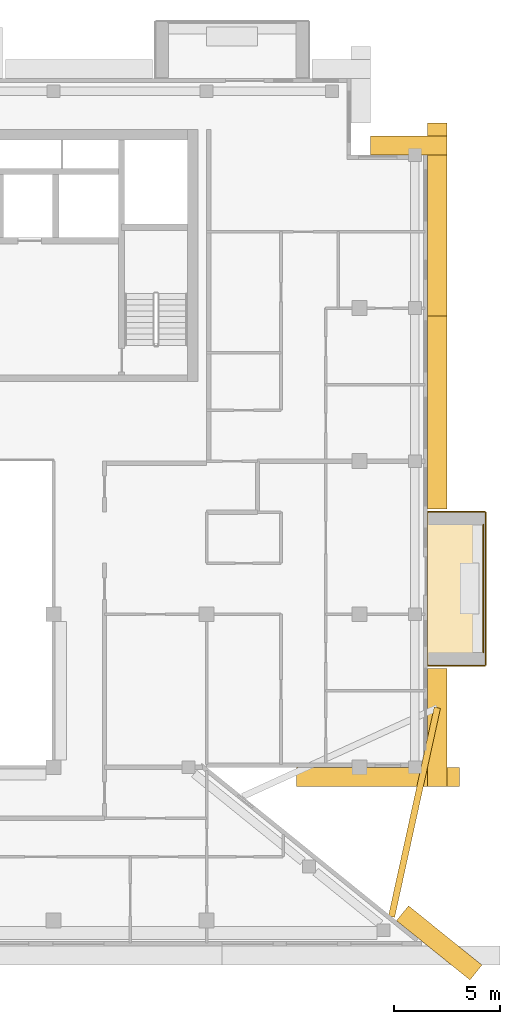
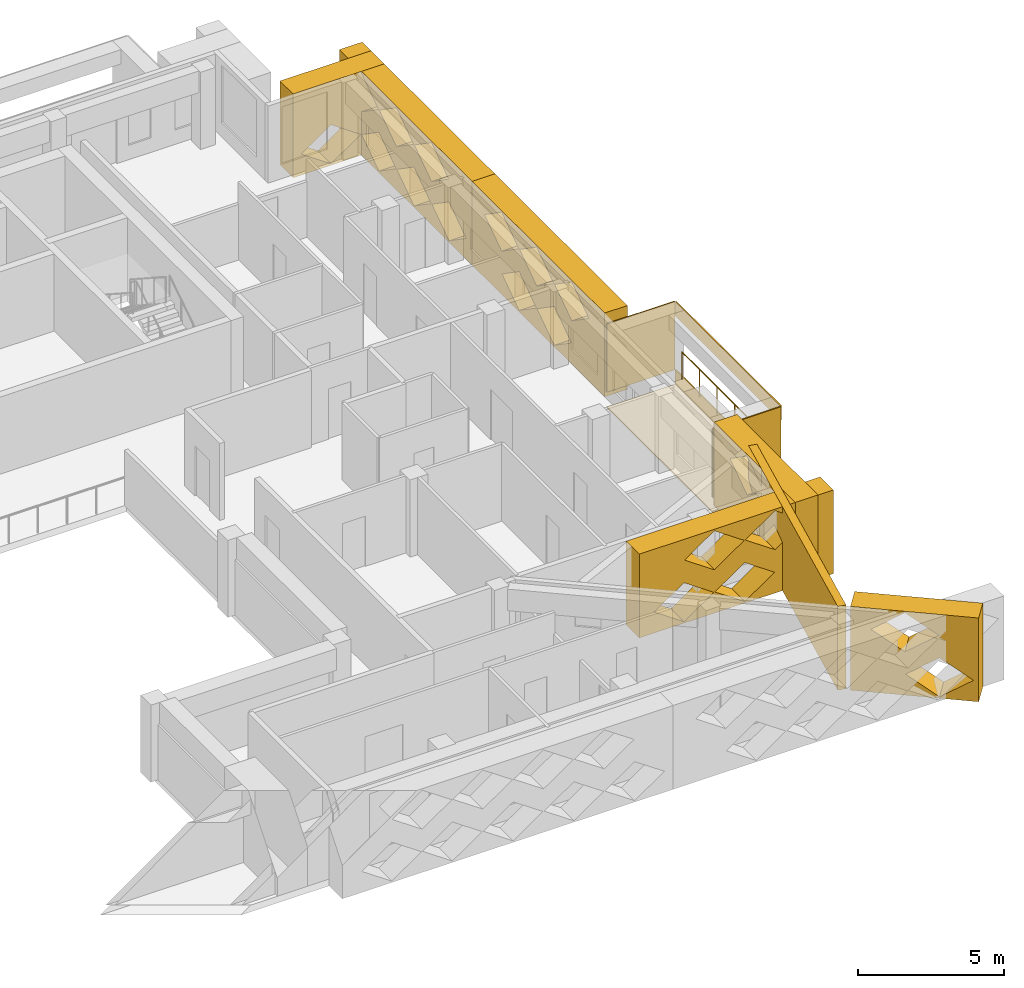
# One storey, part 18 of 18: 12 coverings, 1 railing.
"""IFC4 building model written with IfcOpenShell, lengths in metres."""

from ifc_helpers import new_model, si_unit, direction, frame, origin, origin_2d, place, context, subcontext, project, spatial, polyline, circle, outline, extrude, material, layer, layer_set, type_object, element, save


model = new_model("IFC4")

# Units and contexts
model_context = context("Model", 3, precision=1e-05, world=origin(), true_north=direction((0.0, 1.0)))
body_context = subcontext(model_context, "Body", "Model", "MODEL_VIEW")
ifc_project = project(units=[si_unit("LENGTHUNIT", "METRE"), si_unit("AREAUNIT", "SQUARE_METRE"), si_unit("VOLUMEUNIT", "CUBIC_METRE"), si_unit("PLANEANGLEUNIT", "RADIAN"), si_unit("MASSUNIT", "GRAM", prefix="KILO")], contexts=[model_context])

# Site, building, storey
site_placement = place(None, origin())
site = spatial("IfcSite", under=ifc_project, at=site_placement, CompositionType="ELEMENT")
building_placement = place(site_placement, origin())
building = spatial("IfcBuilding", under=site, at=building_placement, Name="Saffron Iwan Residences", CompositionType="ELEMENT")
storey_placement = place(building_placement, frame((0.0, 0.0, 260.5)))
storey = spatial("IfcBuildingStorey", under=building, at=storey_placement, Name="L70", CompositionType="ELEMENT", Elevation=260.5)

# Railing
ifc_material_1 = material(Name="Stainless steel 316", Category="steel")
railing_type = type_object("IfcRailingType", Name="BALCONY GUARD 1150", PredefinedType="GUARDRAIL", material=ifc_material_1)
railing_placement = place(storey_placement, frame((85.02490234375, 53.39990234375, 0.0)))
element("IfcRailing", 1, at=railing_placement, inside=storey, type_object=railing_type, Name="Balcony guard L70 F2-0", PredefinedType="GUARDRAIL", context=body_context, shape_type="SweptSolid", body=[
    extrude(circle(Radius=0.02392578125, at=origin_2d()), frame((0.0, 0.0, 1.1259765625), z_axis=(0.0, 1.0, 0.0), x_axis=(-1.0, 0.0, 0.0)), (0.0, 0.0, 1.0), 6.0),
    extrude(circle(Radius=0.02099609375, at=origin_2d()), origin(), (0.0, 0.0, 1.0), 1.101806640625),
    extrude(circle(Radius=0.02099609375, at=origin_2d()), frame((0.0, 1.199951171875, 0.0)), (0.0, 0.0, 1.0), 1.101806640625),
    extrude(circle(Radius=0.02099609375, at=origin_2d()), frame((0.0, 2.39990234375, 0.0)), (0.0, 0.0, 1.0), 1.101806640625),
    extrude(circle(Radius=0.02099609375, at=origin_2d()), frame((0.0, 3.60009765625, 0.0)), (0.0, 0.0, 1.0), 1.101806640625),
    extrude(circle(Radius=0.02099609375, at=origin_2d()), frame((0.0, 4.800048828125, 0.0)), (0.0, 0.0, 1.0), 1.101806640625),
    extrude(circle(Radius=0.02099609375, at=origin_2d()), frame((0.0, 6.0, 0.0)), (0.0, 0.0, 1.0), 1.101806640625),
])

# Coverings
ifc_material_2 = material(Name="Precast concrete C40/50 white painted", Category="concrete")
ifc_layer_1 = layer(ifc_material_2, 0.050048828125)
ifc_layer_set_1 = layer_set([ifc_layer_1], Name="Precast concrete C40/50 white painted")
covering_type_1 = type_object("IfcCoveringType", Name="FRAME SKIN PRECAST WHITE 50", PredefinedType="CLADDING", material=ifc_layer_set_1)
for number, where, name in (
    (2, (0.0, 0.0, -0.60009765625), "Frame skin slab edge L70 F2-0"),
    (3, (0.0, 0.0, 2.25), "Frame skin fascia L70 F2-0"),
):
    element("IfcCovering", number, at=place(storey_placement, frame(where)), inside=storey, type_object=covering_type_1, Name=name, PredefinedType="CLADDING", context=body_context, shape_type="SweptSolid", body=[
        extrude(outline(polyline([(85.14990234375, 52.800048828125), (85.14990234375, 60.0), (85.10009765625, 60.0), (85.10009765625, 52.800048828125), (85.14990234375, 52.800048828125)])), origin(), (0.0, 0.0, 1.0), 0.60009765625),
    ])
covering_1_placement = place(storey_placement, frame((0.0, 0.0, -0.64990234375)))
element("IfcCovering", 4, at=covering_1_placement, inside=storey, type_object=covering_type_1, Name="Frame skin soffit L70 F2-0", PredefinedType="CLADDING", context=body_context, shape_type="SweptSolid", body=[
    extrude(outline(polyline([(85.10009765625, 52.800048828125), (85.10009765625, 60.0), (82.39990234375, 60.0), (82.39990234375, 52.800048828125), (85.10009765625, 52.800048828125)])), origin(), (0.0, 0.0, 1.0), 0.0498046875),
])
covering_2_placement = place(storey_placement, origin())
element("IfcCovering", 5, at=covering_2_placement, inside=storey, type_object=covering_type_1, Name="Frame skin fin L70 F2-0a", PredefinedType="CLADDING", context=body_context, shape_type="SweptSolid", body=[
    extrude(outline(polyline([(85.10009765625, 52.75), (85.10009765625, 52.800048828125), (82.39990234375, 52.800048828125), (82.39990234375, 52.75), (85.10009765625, 52.75)])), origin(), (0.0, 0.0, 1.0), 2.85009765625),
])
covering_3_placement = place(storey_placement, origin())
element("IfcCovering", 6, at=covering_3_placement, inside=storey, type_object=covering_type_1, Name="Frame skin fin L70 F2-0b", PredefinedType="CLADDING", context=body_context, shape_type="SweptSolid", body=[
    extrude(outline(polyline([(85.10009765625, 60.0), (85.10009765625, 60.050048828125), (82.39990234375, 60.050048828125), (82.39990234375, 60.0), (85.10009765625, 60.0)])), origin(), (0.0, 0.0, 1.0), 2.85009765625),
])
ifc_material_3 = material(Name="Precast concrete C40/50", Category="concrete")
covering_type_2 = type_object("IfcCoveringType", Name="OUTER SKIN LATTICE SCREEN", PredefinedType="CLADDING", material=ifc_material_3)
covering_4_placement = place(storey_placement, frame((84.387939453125, 37.994384765625, -0.280029296875), z_axis=(0.628558089533, 0.777762642509, 0.0), x_axis=(-0.777762642509, 0.628558089533, 0.0)))
element("IfcCovering", 7, at=covering_4_placement, inside=storey, type_object=covering_type_2, Name="OUTER SKIN lattice screen L70 F0.0", PredefinedType="CLADDING", context=body_context, shape_type="SweptSolid", body=[
    extrude(outline(polyline([(0.0, 0.0), (4.439697265625, 0.0), (4.439697265625, 3.5), (0.0, 3.5), (0.0, 0.0)]), holes=[polyline([(0.175537109375, 0.875), (1.35546875, 0.06005859375), (2.535400390625, 0.875), (1.35546875, 1.68994140625), (0.175537109375, 0.875)]), polyline([(1.37548828125, 2.625), (2.555419921875, 1.81005859375), (3.735595703125, 2.625), (2.555419921875, 3.43994140625), (1.37548828125, 2.625)])]), origin(), (0.0, 0.0, 1.0), 0.89990234375),
])
covering_5_placement = place(storey_placement, frame((76.235595703125, 48.0, -0.280029296875), z_axis=(0.0, -1.0, 0.0), x_axis=(1.0, 0.0, 0.0)))
element("IfcCovering", 8, at=covering_5_placement, inside=storey, type_object=covering_type_2, Name="OUTER SKIN lattice screen L70 F1.0", PredefinedType="CLADDING", context=body_context, shape_type="SweptSolid", body=[
    extrude(outline(polyline([(0.0, 0.0), (7.66455078125, 0.0), (7.66455078125, 3.5), (0.0, 3.5), (0.0, 0.0)]), holes=[polyline([(0.58447265625, 0.875), (1.764404296875, 0.06005859375), (2.944580078125, 0.875), (1.764404296875, 1.68994140625), (0.58447265625, 0.875)]), polyline([(2.984619140625, 0.875), (4.16455078125, 0.06005859375), (5.344482421875, 0.875), (4.16455078125, 1.68994140625), (2.984619140625, 0.875)]), polyline([(1.784423828125, 2.625), (2.964599609375, 1.81005859375), (4.14453125, 2.625), (2.964599609375, 3.43994140625), (1.784423828125, 2.625)]), polyline([(4.1845703125, 2.625), (5.364501953125, 1.81005859375), (6.54443359375, 2.625), (5.364501953125, 3.43994140625), (4.1845703125, 2.625)])]), origin(), (0.0, 0.0, 1.0), 0.89990234375),
])
covering_6_placement = place(storey_placement, frame((82.39990234375, 47.10009765625, -0.280029296875), z_axis=(1.0, 0.0, 0.0), x_axis=(0.0, 1.0, 0.0)))
element("IfcCovering", 9, at=covering_6_placement, inside=storey, type_object=covering_type_2, Name="OUTER SKIN lattice screen L70 F2.0", PredefinedType="CLADDING", context=body_context, shape_type="SweptSolid", body=[
    extrude(outline(polyline([(0.0, 0.0), (5.550048828125, 0.0), (5.550048828125, 3.5), (0.0, 3.5), (0.0, 0.0)]), holes=[polyline([(0.919921875, 0.875), (2.10009765625, 0.06005859375), (3.280029296875, 0.875), (2.10009765625, 1.68994140625), (0.919921875, 0.875)]), polyline([(2.1201171875, 2.625), (3.300048828125, 1.81005859375), (4.47998046875, 2.625), (3.300048828125, 3.43994140625), (2.1201171875, 2.625)])]), origin(), (0.0, 0.0, 1.0), 0.900146484375),
])
covering_7_placement = place(storey_placement, frame((82.39990234375, 60.14990234375, -0.280029296875), z_axis=(1.0, 0.0, 0.0), x_axis=(0.0, 1.0, 0.0)))
element("IfcCovering", 10, at=covering_7_placement, inside=storey, type_object=covering_type_2, Name="OUTER SKIN lattice screen L70 F2.1", PredefinedType="CLADDING", context=body_context, shape_type="SweptSolid", body=[
    extrude(outline(polyline([(0.0, 0.0), (9.074951171875, 0.0), (9.074951171875, 3.5), (0.0, 3.5), (0.0, 0.0)]), holes=[polyline([(2.27001953125, 0.875), (3.449951171875, 0.06005859375), (4.6298828125, 0.875), (3.449951171875, 1.68994140625), (2.27001953125, 0.875)]), polyline([(4.669921875, 0.875), (5.85009765625, 0.06005859375), (7.030029296875, 0.875), (5.85009765625, 1.68994140625), (4.669921875, 0.875)]), polyline([(1.070068359375, 2.625), (2.25, 1.81005859375), (3.429931640625, 2.625), (2.25, 3.43994140625), (1.070068359375, 2.625)]), polyline([(3.469970703125, 2.625), (4.64990234375, 1.81005859375), (5.830078125, 2.625), (4.64990234375, 3.43994140625), (3.469970703125, 2.625)]), polyline([(5.8701171875, 2.625), (7.050048828125, 1.81005859375), (8.22998046875, 2.625), (7.050048828125, 3.43994140625), (5.8701171875, 2.625)])]), origin(), (0.0, 0.0, 1.0), 0.900146484375),
])
covering_8_placement = place(storey_placement, frame((82.39990234375, 69.22509765625, -0.280029296875), z_axis=(1.0, 0.0, 0.0), x_axis=(0.0, 1.0, 0.0)))
element("IfcCovering", 11, at=covering_8_placement, inside=storey, type_object=covering_type_2, Name="OUTER SKIN lattice screen L70 F2.2", PredefinedType="CLADDING", context=body_context, shape_type="SweptSolid", body=[
    extrude(outline(polyline([(0.0, 0.0), (9.074951171875, 0.0), (9.074951171875, 3.5), (0.0, 3.5), (0.0, 0.0)]), holes=[polyline([(0.39501953125, 0.875), (1.574951171875, 0.06005859375), (2.7548828125, 0.875), (1.574951171875, 1.68994140625), (0.39501953125, 0.875)]), polyline([(2.794921875, 0.875), (3.97509765625, 0.06005859375), (5.155029296875, 0.875), (3.97509765625, 1.68994140625), (2.794921875, 0.875)]), polyline([(5.195068359375, 0.875), (6.375, 0.06005859375), (7.554931640625, 0.875), (6.375, 1.68994140625), (5.195068359375, 0.875)]), polyline([(1.594970703125, 2.625), (2.77490234375, 1.81005859375), (3.955078125, 2.625), (2.77490234375, 3.43994140625), (1.594970703125, 2.625)]), polyline([(3.9951171875, 2.625), (5.175048828125, 1.81005859375), (6.35498046875, 2.625), (5.175048828125, 3.43994140625), (3.9951171875, 2.625)]), polyline([(6.39501953125, 2.625), (7.574951171875, 1.81005859375), (8.7548828125, 2.625), (7.574951171875, 3.43994140625), (6.39501953125, 2.625)])]), origin(), (0.0, 0.0, 1.0), 0.900146484375),
])
covering_9_placement = place(storey_placement, frame((83.300048828125, 76.800048828125, -0.280029296875), z_axis=(0.0, 1.0, 0.0), x_axis=(-1.0, 0.0, 0.0)))
element("IfcCovering", 12, at=covering_9_placement, inside=storey, type_object=covering_type_2, Name="OUTER SKIN lattice screen L70 F3.0", PredefinedType="CLADDING", context=body_context, shape_type="SweptSolid", body=[
    extrude(outline(polyline([(0.0, 0.0), (3.60009765625, 0.0), (3.60009765625, 3.5), (0.0, 3.5), (0.0, 0.0)]), holes=[polyline([(0.919921875, 0.875), (2.10009765625, 0.06005859375), (3.280029296875, 0.875), (2.10009765625, 1.68994140625), (0.919921875, 0.875)])]), origin(), (0.0, 0.0, 1.0), 0.89990234375),
])
ifc_layer_2 = layer(ifc_material_2, 0.300048828125)
ifc_layer_set_2 = layer_set([ifc_layer_2], Name="Precast concrete C40/50 white painted")
covering_type_3 = type_object("IfcCoveringType", Name="PROW NOSE BLADE PRECAST WHITE", PredefinedType="CLADDING", material=ifc_layer_set_2)
covering_10_placement = place(storey_placement, frame((0.0, 0.0, -0.280029296875)))
element("IfcCovering", 13, at=covering_10_placement, inside=storey, type_object=covering_type_3, Name="Prow nose blade L70 a", PredefinedType="CLADDING", context=body_context, shape_type="SweptSolid", body=[
    extrude(outline(polyline([(80.847412109375, 40.9404296875), (83.001708984375, 50.769287109375), (82.70849609375, 50.83349609375), (80.55419921875, 41.004638671875), (80.847412109375, 40.9404296875)])), origin(), (0.0, 0.0, 1.0), 3.5),
])

save(model, "model.ifc")
